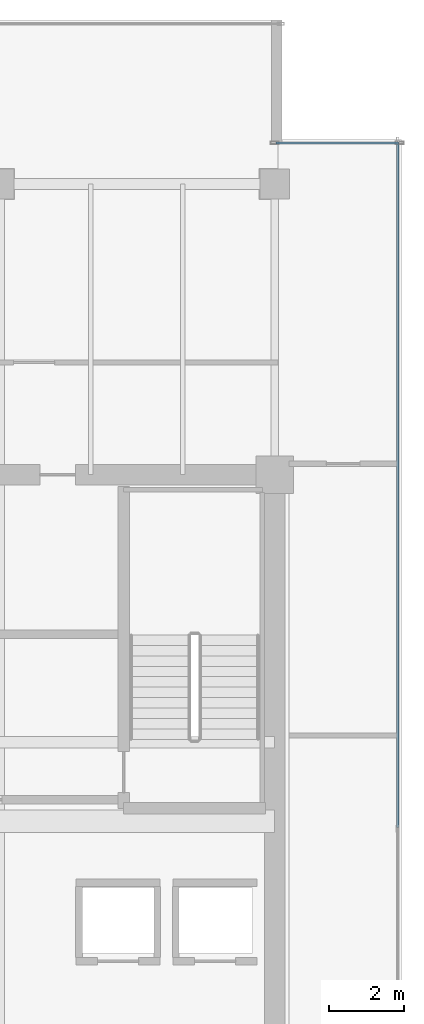
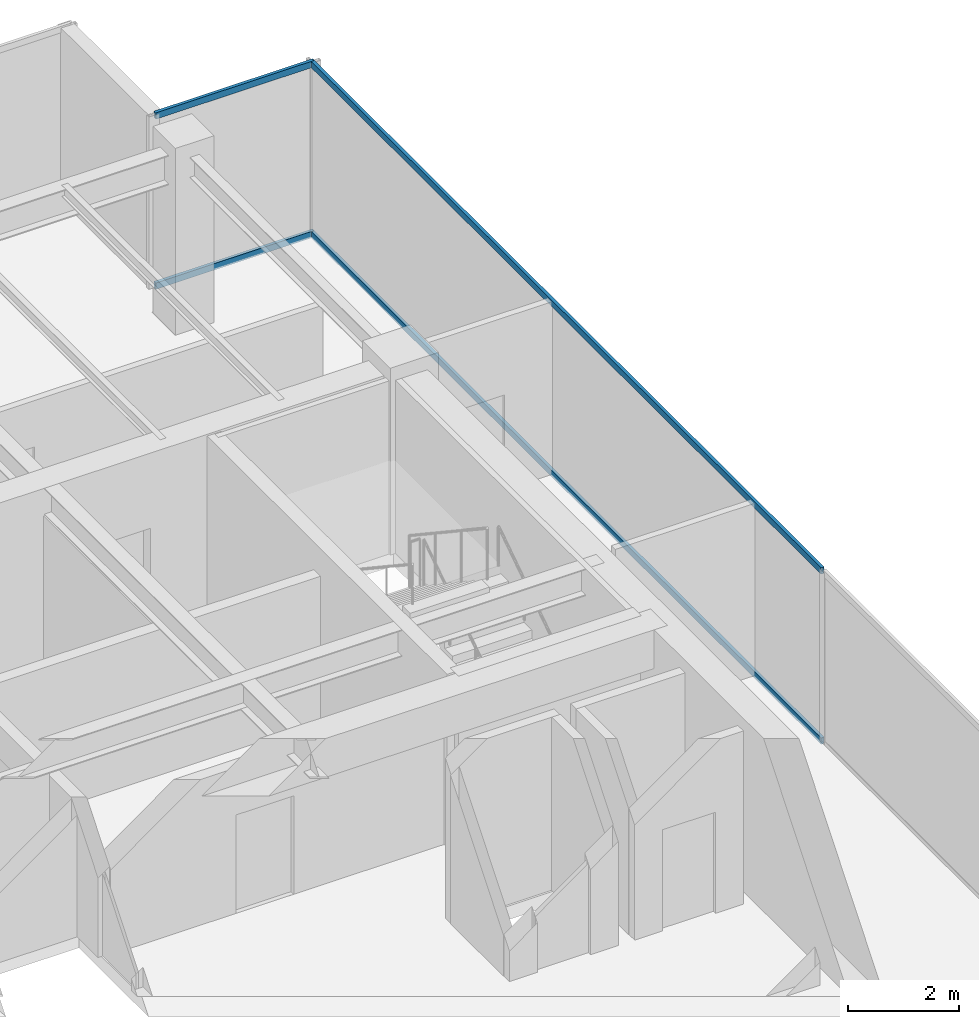
# One storey, part 25 of 36: 4 members, 2 elements without a shape of their own.
"""IFC4 building model written with IfcOpenShell, lengths in metres."""

from ifc_helpers import new_model, si_unit, direction, frame, origin, origin_2d, place, context, subcontext, project, spatial, hollow_rectangle, extrude, source, transform, mapped, material, layer, layer_set, material_profile, profile_set, type_object, type_shapes, element, aggregate, save


model = new_model("IFC4")

# Units and contexts
model_context = context("Model", 3, precision=1e-05, world=origin(), true_north=direction((0.0, 1.0)))
body_context = subcontext(model_context, "Body", "Model", "MODEL_VIEW")
ifc_project = project(units=[si_unit("LENGTHUNIT", "METRE"), si_unit("AREAUNIT", "SQUARE_METRE"), si_unit("VOLUMEUNIT", "CUBIC_METRE"), si_unit("PLANEANGLEUNIT", "RADIAN"), si_unit("MASSUNIT", "GRAM", prefix="KILO")], contexts=[model_context])

# Site, building, storey
site_placement = place(None, origin())
site = spatial("IfcSite", under=ifc_project, at=site_placement, CompositionType="ELEMENT")
building_placement = place(site_placement, origin())
building = spatial("IfcBuilding", under=site, at=building_placement, Name="Haelvirn Gate Laboratories", CompositionType="ELEMENT")
storey_placement = place(building_placement, frame((0.0, 0.0, 254.699951171875)))
storey = spatial("IfcBuildingStorey", under=building, at=storey_placement, Name="L61", CompositionType="ELEMENT", Elevation=254.699951171875)

# Curtain wall, members
ifc_material_1 = material(Name="Anodised bronze unitised aluminium & triple low-E glass", Category="aluminium")
ifc_layer_1 = layer(ifc_material_1, 0.181884765625, Name="CW-SYS-5")
ifc_layer_set_1 = layer_set([ifc_layer_1], Name="Anodised bronze unitised aluminium & triple low-E glass")
curtain_wall_type_1 = type_object("IfcCurtainWallType", Name="CW-SYS-5", PredefinedType="NOTDEFINED", material=ifc_layer_set_1)
curtain_wall_1_placement = place(storey_placement, origin())
curtain_wall_1 = element("IfcCurtainWall", 1, at=curtain_wall_1_placement, inside=storey, type_object=curtain_wall_type_1, Name="L61 Unitised Curtain Wall CW-L61-P0-E08-1", PredefinedType="NOTDEFINED")
ifc_material_2 = material(Name="Extruded aluminium 6063-T6 (anodised bronze)", Category="aluminium")
ifc_material_profile = material_profile(ifc_material_2, hollow_rectangle(XDim=0.06494140625, YDim=0.139892578125, WallThickness=0.00390625, at=origin_2d()), Name="CWT-140x65x4")
ifc_profile_set = profile_set([ifc_material_profile], Name="Extruded aluminium 6063-T6 (anodised bronze)")
member_type = type_object("IfcMemberType", Name="CWT-T140", PredefinedType="USERDEFINED", material=ifc_profile_set)
shared_shape_1 = source(origin(), body_context, "Body", "SweptSolid", [
    extrude(hollow_rectangle(XDim=0.06494140625, YDim=0.139892578125, WallThickness=0.00390625, at=origin_2d()), origin(), (0.0, 0.0, 1.0), 3.280029296875),
])
member_1_placement = place(storey_placement, frame((67.43994140625, 42.699951171875, 0.032470703125), z_axis=(1.0, 0.0, 0.0), x_axis=(0.0, 1.0, 0.0)))
member_1 = element("IfcMember", 2, at=member_1_placement, type_object=member_type, Name="CW5 transom 1.1", ObjectType="TRANSOM", PredefinedType="USERDEFINED", context=body_context, shape_type="MappedRepresentation", body=[
    mapped(shared_shape_1, transform((0.0, 0.0, 0.0), scale=1.0)),
])
member_2_placement = place(storey_placement, frame((67.43994140625, 42.699951171875, 3.767578125), z_axis=(1.0, 0.0, 0.0), x_axis=(0.0, 1.0, 0.0)))
member_2 = element("IfcMember", 3, at=member_2_placement, type_object=member_type, Name="CW5 transom 1.2", ObjectType="TRANSOM", PredefinedType="USERDEFINED", context=body_context, shape_type="MappedRepresentation", body=[
    mapped(shared_shape_1, transform((0.0, 0.0, 0.0), scale=1.0)),
])
aggregate(curtain_wall_1, [member_1, member_2])

ifc_layer_2 = layer(ifc_material_1, 0.176025390625, Name="CW-SYS-4")
ifc_layer_set_2 = layer_set([ifc_layer_2], Name="Anodised bronze unitised aluminium & triple low-E glass")
curtain_wall_type_2 = type_object("IfcCurtainWallType", Name="CW-SYS-4", PredefinedType="NOTDEFINED", material=ifc_layer_set_2)
curtain_wall_2_placement = place(storey_placement, origin())
curtain_wall_2 = element("IfcCurtainWall", 4, at=curtain_wall_2_placement, inside=storey, type_object=curtain_wall_type_2, Name="L61 Unitised Curtain Wall CW-L61-P0-E07", PredefinedType="NOTDEFINED")
shared_shape_2 = source(origin(), body_context, "Body", "SweptSolid", [
    extrude(hollow_rectangle(XDim=0.06494140625, YDim=0.139892578125, WallThickness=0.00390625, at=origin_2d()), origin(), (0.0, 0.0, 1.0), 18.39501953125),
])
type_shapes(member_type, [shared_shape_1, shared_shape_2])
member_3_placement = place(storey_placement, frame((70.699951171875, 24.3349609375, 0.032470703125), z_axis=(0.0, 1.0, 0.0), x_axis=(-1.0, 0.0, 0.0)))
member_3 = element("IfcMember", 5, at=member_3_placement, type_object=member_type, Name="CW4 transom 2.1", ObjectType="TRANSOM", PredefinedType="USERDEFINED", context=body_context, shape_type="MappedRepresentation", body=[
    mapped(shared_shape_2, transform((0.0, 0.0, 0.0), scale=1.0)),
])
member_4_placement = place(storey_placement, frame((70.699951171875, 24.3349609375, 3.767578125), z_axis=(0.0, 1.0, 0.0), x_axis=(-1.0, 0.0, 0.0)))
member_4 = element("IfcMember", 6, at=member_4_placement, type_object=member_type, Name="CW4 transom 2.2", ObjectType="TRANSOM", PredefinedType="USERDEFINED", context=body_context, shape_type="MappedRepresentation", body=[
    mapped(shared_shape_2, transform((0.0, 0.0, 0.0), scale=1.0)),
])
aggregate(curtain_wall_2, [member_3, member_4])

save(model, "model.ifc")
